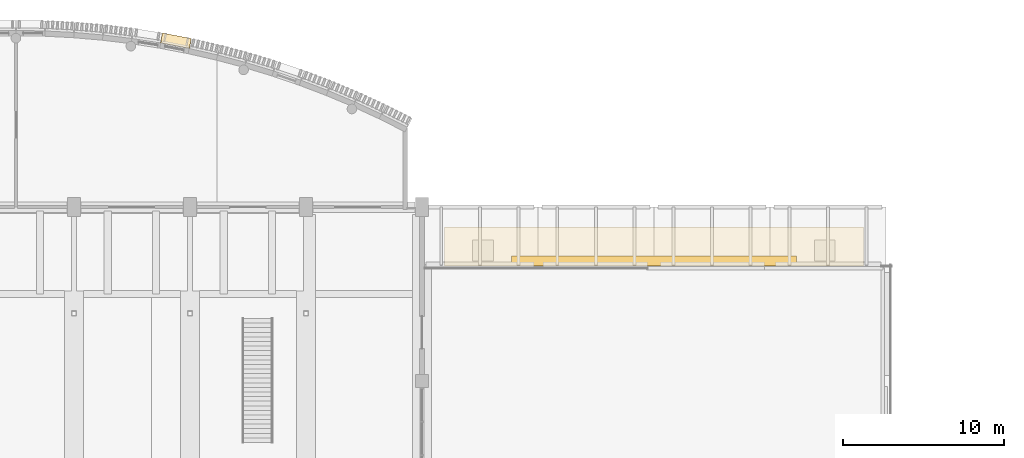
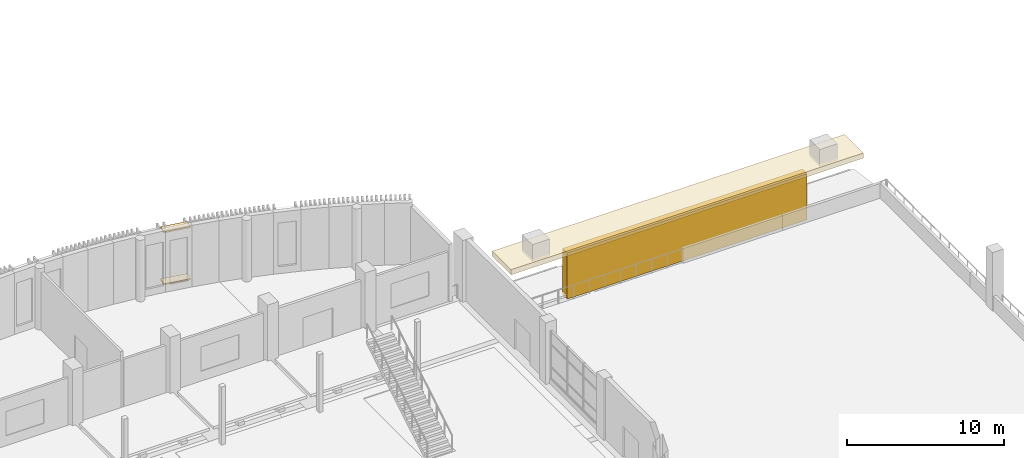
# One storey, part 78 of 82: 4 coverings.
"""IFC4 building model written with IfcOpenShell, lengths in metres."""

from ifc_helpers import new_model, si_unit, direction, frame, origin, origin_2d, place, context, subcontext, project, spatial, polyline, rectangle, outline, extrude, material, layer, layer_set, type_object, element, save


model = new_model("IFC4")

# Units and contexts
model_context = context("Model", 3, precision=1e-05, world=origin(), true_north=direction((0.0, 1.0)))
body_context = subcontext(model_context, "Body", "Model", "MODEL_VIEW")
ifc_project = project(units=[si_unit("LENGTHUNIT", "METRE"), si_unit("AREAUNIT", "SQUARE_METRE"), si_unit("VOLUMEUNIT", "CUBIC_METRE"), si_unit("PLANEANGLEUNIT", "RADIAN"), si_unit("MASSUNIT", "GRAM", prefix="KILO")], contexts=[model_context])

# Site, building, storey
site_placement = place(None, origin())
site = spatial("IfcSite", under=ifc_project, at=site_placement, CompositionType="ELEMENT")
building_placement = place(site_placement, origin())
building = spatial("IfcBuilding", under=site, at=building_placement, Name="Sardonyx Promenade Sports Hall", CompositionType="ELEMENT")
storey_placement = place(building_placement, frame((0.0, 0.0, 11.199951171875)))
storey = spatial("IfcBuildingStorey", under=building, at=storey_placement, Name="L02", CompositionType="ELEMENT", Elevation=11.199951171875)

# Coverings
ifc_material_1 = material(Name="Dressed Cape red sandstone cornice", Category="masonry")
ifc_layer_1 = layer(ifc_material_1, 0.139892578125)
ifc_layer_set_1 = layer_set([ifc_layer_1], Name="Cov_Chhajja_Eave")
covering_type_1 = type_object("IfcCoveringType", Name="Cov_Chhajja_Eave", PredefinedType="MOLDING", material=ifc_layer_set_1)
covering_1_placement = place(storey_placement, frame((0.0, 0.0, 3.35009765625)))
element("IfcCovering", 1, at=covering_1_placement, inside=storey, type_object=covering_type_1, Name="Monumental Pishtaq projecting chhajja cornice", PredefinedType="MOLDING", context=body_context, shape_type="SweptSolid", body=[
    extrude(outline(polyline([(80.60009765625, 100.75), (106.60009765625, 100.75), (106.60009765625, 103.14990234375), (80.60009765625, 103.14990234375), (80.60009765625, 100.75)])), origin(), (0.0, 0.0, 1.0), 0.39990234375),
])
ifc_material_2 = material(Name="Glulam GL28h", Category="wood")
ifc_layer_2 = layer(ifc_material_2, 0.110107421875)
ifc_layer_set_2 = layer_set([ifc_layer_2], Name="Cov_Louvre_GL28h")
covering_type_2 = type_object("IfcCoveringType", Name="Cov_Louvre_GL28h", PredefinedType="MOLDING", material=ifc_layer_set_2)
for number, where, z_axis, x_axis, name in (
    (2, (63.93017578125, 114.72412109375, 0.320068359375), (0.0, 0.0, 1.0), (0.981929658139, -0.18924625879, 0.0), "Bowed louvre carrier rail L02 CH20 #1"),
    (3, (63.93017578125, 114.72412109375, 4.3798828125), (0.0, 0.0, 1.0), (0.981929658139, -0.18924625879, 0.0), "Bowed louvre carrier rail L02 CH20 #2"),
):
    element("IfcCovering", number, at=place(storey_placement, frame(where, z_axis=z_axis, x_axis=x_axis)), inside=storey, type_object=covering_type_2, Name=name, PredefinedType="MOLDING", context=body_context, shape_type="SweptSolid", body=[
        extrude(rectangle(XDim=1.820068359375, YDim=0.6201171875, at=origin_2d()), origin(), (0.0, 0.0, 1.0), 0.10009765625),
    ])
ifc_material_3 = material(Name="Carved Cape red sandstone ashlar", Category="masonry")
ifc_layer_3 = layer(ifc_material_3, 0.239990234375)
ifc_layer_set_3 = layer_set([ifc_layer_3], Name="Cov_Mughal_Arch")
covering_type_3 = type_object("IfcCoveringType", Name="Cov_Mughal_Arch", PredefinedType="CLADDING", material=ifc_layer_set_3)
covering_2_placement = place(storey_placement, origin())
element("IfcCovering", 4, at=covering_2_placement, inside=storey, type_object=covering_type_3, Name="Monumental Pishtaq carved sandstone attic backing", PredefinedType="CLADDING", context=body_context, shape_type="SweptSolid", body=[
    extrude(outline(polyline([(84.75, 100.75), (102.449951171875, 100.75), (102.449951171875, 101.35009765625), (84.75, 101.35009765625), (84.75, 100.75)])), origin(), (0.0, 0.0, 1.0), 3.60009765625),
])

save(model, "model.ifc")
